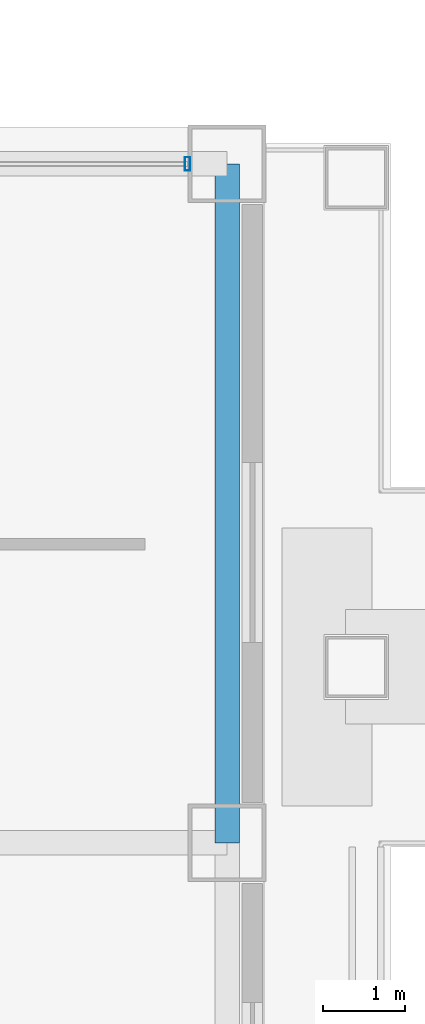
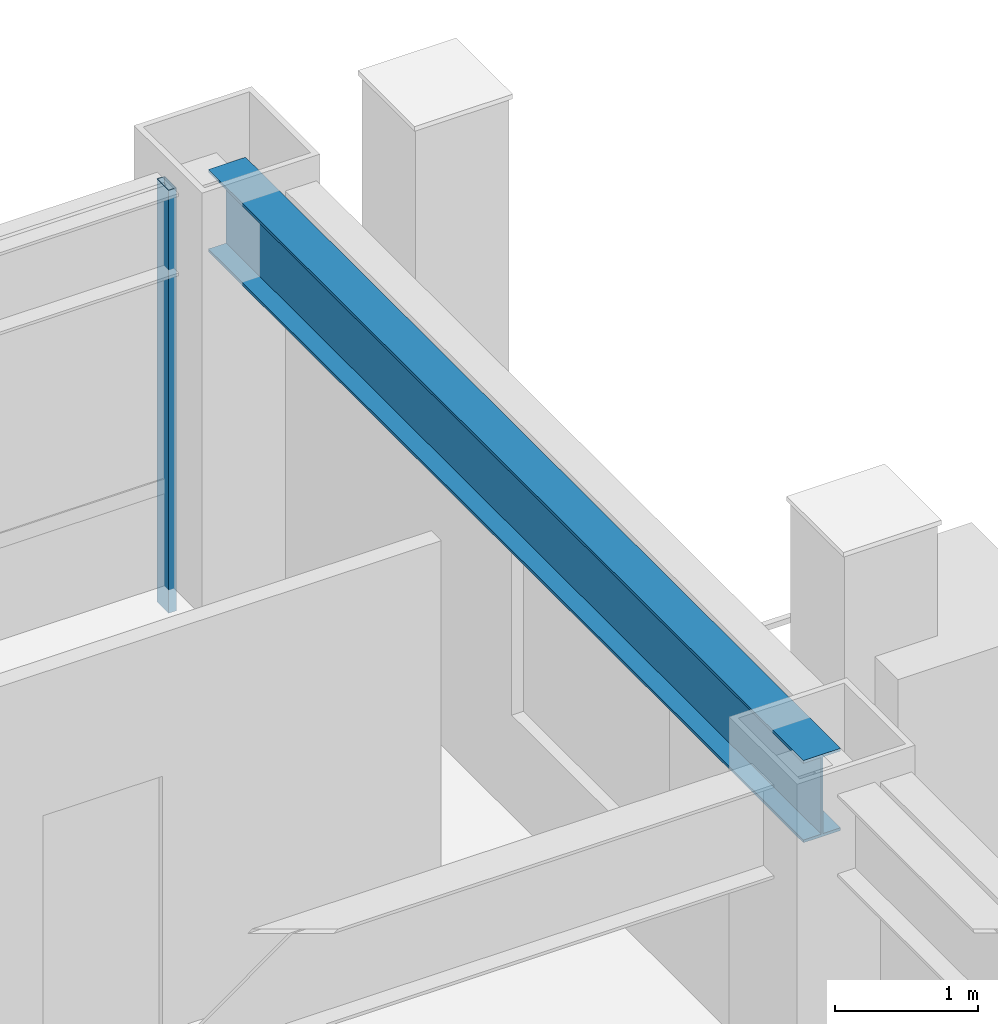
# One storey, part 22 of 31: 1 beam, 1 member, 1 element without a shape of its own.
"""IFC4 building model written with IfcOpenShell, lengths in metres."""

from ifc_helpers import new_model, si_unit, direction, frame, origin, origin_2d, place, context, subcontext, project, spatial, hollow_rectangle, i_section, extrude, material, layer, layer_set, material_profile, profile_set, type_object, element, aggregate, save


model = new_model("IFC4")

# Units and contexts
model_context = context("Model", 3, precision=1e-05, world=origin(), true_north=direction((0.0, 1.0)))
body_context = subcontext(model_context, "Body", "Model", "MODEL_VIEW")
ifc_project = project(units=[si_unit("LENGTHUNIT", "METRE"), si_unit("AREAUNIT", "SQUARE_METRE"), si_unit("VOLUMEUNIT", "CUBIC_METRE"), si_unit("PLANEANGLEUNIT", "RADIAN"), si_unit("MASSUNIT", "GRAM", prefix="KILO")], contexts=[model_context])

# Site, building, storey
site_placement = place(None, origin())
site = spatial("IfcSite", under=ifc_project, at=site_placement, CompositionType="ELEMENT")
building_placement = place(site_placement, origin())
building = spatial("IfcBuilding", under=site, at=building_placement, Name="Brelmoor Portico Tower", CompositionType="ELEMENT")
storey_placement = place(building_placement, frame((0.0, 0.0, 42.0)))
storey = spatial("IfcBuildingStorey", under=building, at=storey_placement, Name="L10", CompositionType="ELEMENT", Elevation=42.0)

# Beam
ifc_material_1 = material(Name="Steel Q355B", Category="steel")
ifc_material_profile_1 = material_profile(ifc_material_1, i_section(OverallWidth=0.300048828125, OverallDepth=0.699951171875, WebThickness=0.012939453125, FlangeThickness=0.02392578125, at=origin_2d()), Name="HN 700x300x13x24")
ifc_profile_set_1 = profile_set([ifc_material_profile_1], Name="Steel Q355B")
beam_type = type_object("IfcBeamType", Name="BM-SP-700", PredefinedType="SPANDREL", material=ifc_profile_set_1)
beam_placement = place(storey_placement, frame((24.550048828125, 9.75, 3.050048828125), z_axis=(0.0, 1.0, 0.0), x_axis=(-1.0, 0.0, 0.0)))
element("IfcBeam", 1, at=beam_placement, inside=storey, type_object=beam_type, Name="L10 Perimeter Spandrel Beam SP-24", PredefinedType="SPANDREL", context=body_context, shape_type="SweptSolid", body=[
    extrude(i_section(OverallWidth=0.300048828125, OverallDepth=0.699951171875, WebThickness=0.012939453125, FlangeThickness=0.02392578125, at=origin_2d()), origin(), (0.0, 0.0, 1.0), 8.300048828125),
])

# Curtain wall, member
ifc_material_2 = material(Name="Anodised Aluminium Alloy 6063-T6", Category="aluminium")
ifc_layer = layer(ifc_material_2, 0.179931640625)
ifc_layer_set = layer_set([ifc_layer], Name="Anodised Aluminium Alloy 6063-T6")
curtain_wall_type = type_object("IfcCurtainWallType", Name="CW-NOTCH-CHAMFER", PredefinedType="NOTDEFINED", material=ifc_layer_set)
curtain_wall_placement = place(storey_placement, origin())
curtain_wall = element("IfcCurtainWall", 2, at=curtain_wall_placement, inside=storey, type_object=curtain_wall_type, Name="L10 Curtain Wall CWN-L10-NEH", PredefinedType="NOTDEFINED")
ifc_material_profile_2 = material_profile(ifc_material_2, hollow_rectangle(XDim=0.06494140625, YDim=0.1650390625, WallThickness=0.00390625, at=origin_2d()), Name="ALU MULLION 65x165")
ifc_profile_set_2 = profile_set([ifc_material_profile_2], Name="Anodised Aluminium Alloy 6063-T6")
member_type = type_object("IfcMemberType", Name="MB-CW-MULL-165", PredefinedType="MULLION", material=ifc_profile_set_2)
member_placement = place(storey_placement, frame((24.06494140625, 18.050048828125, -0.199951171875), z_axis=(0.0, 0.0, 1.0), x_axis=(1.0, 0.0, 0.0)))
member = element("IfcMember", 3, at=member_placement, type_object=member_type, Name="CWN-L10-NEH Mullion 01", PredefinedType="MULLION", context=body_context, shape_type="SweptSolid", body=[
    extrude(hollow_rectangle(XDim=0.06494140625, YDim=0.1650390625, WallThickness=0.00390625, at=origin_2d()), origin(), (0.0, 0.0, 1.0), 3.599853515625),
])
aggregate(curtain_wall, [member])

save(model, "model.ifc")
